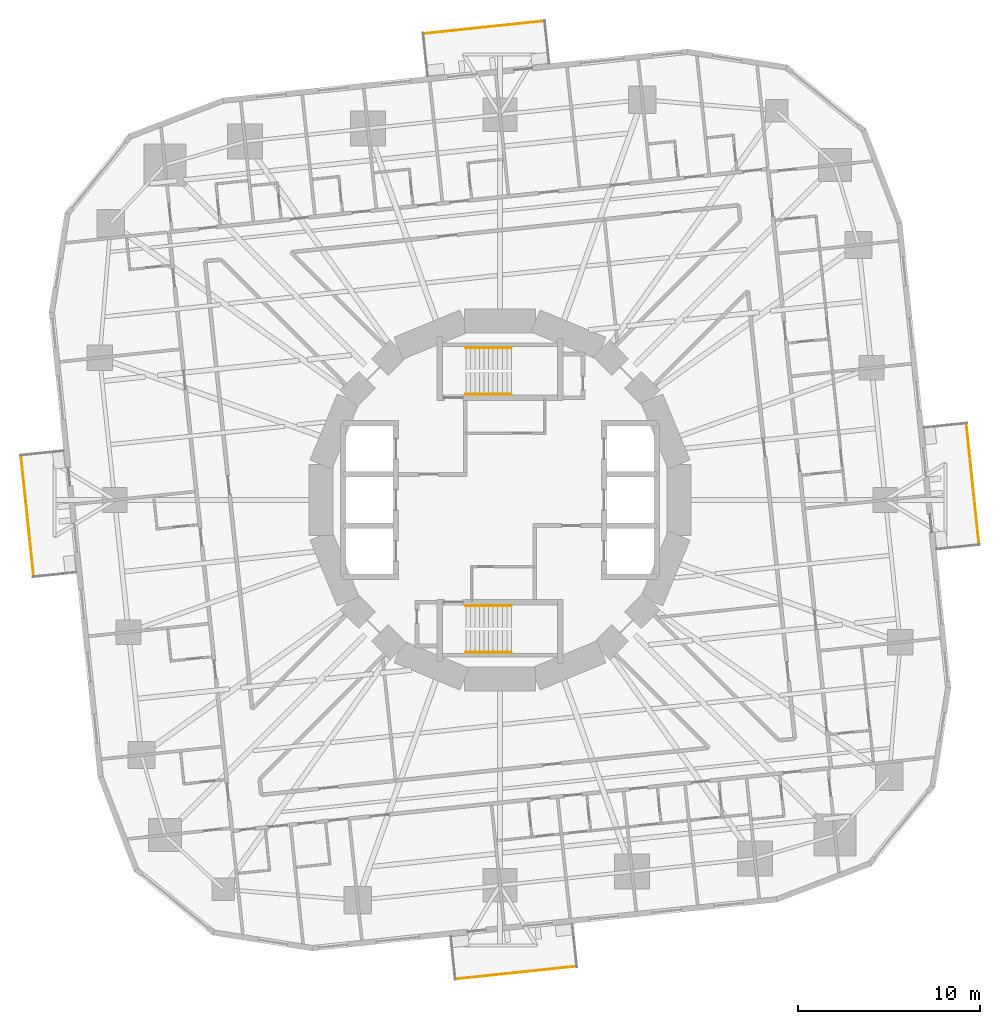
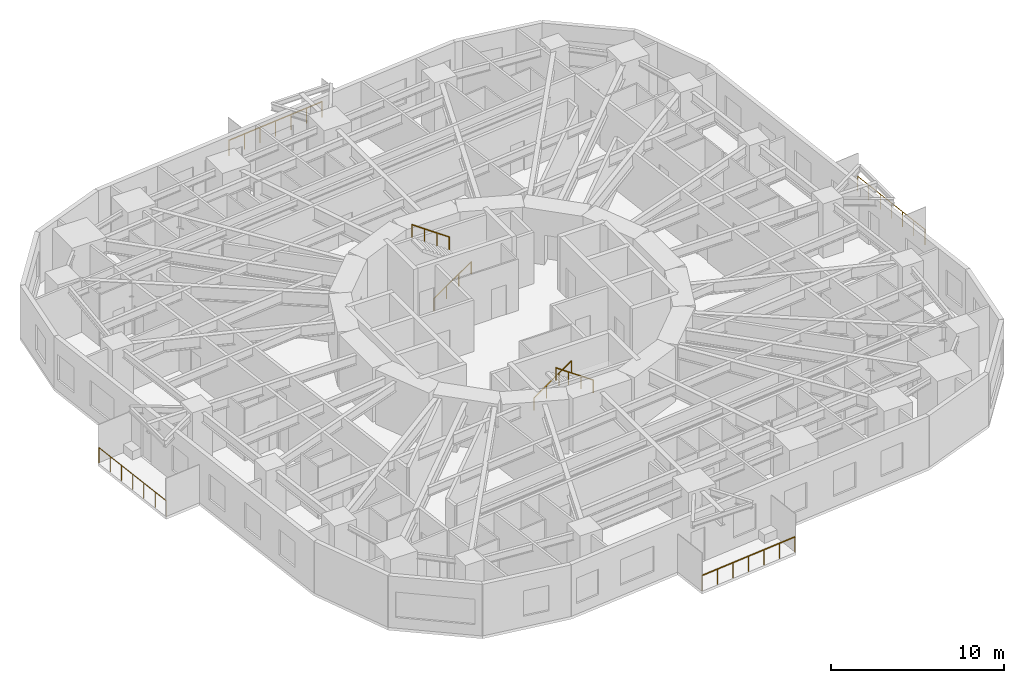
# One storey, part 12 of 13: 8 railings.
"""IFC4 building model written with IfcOpenShell, lengths in metres."""

from ifc_helpers import new_model, si_unit, direction, frame, origin, origin_2d, place, context, subcontext, project, spatial, circle, extrude, material, type_object, element, save


model = new_model("IFC4")

# Units and contexts
model_context = context("Model", 3, precision=1e-05, world=origin(), true_north=direction((0.0, 1.0)))
body_context = subcontext(model_context, "Body", "Model", "MODEL_VIEW")
ifc_project = project(units=[si_unit("LENGTHUNIT", "METRE"), si_unit("AREAUNIT", "SQUARE_METRE"), si_unit("VOLUMEUNIT", "CUBIC_METRE"), si_unit("PLANEANGLEUNIT", "RADIAN"), si_unit("MASSUNIT", "GRAM", prefix="KILO")], contexts=[model_context])

# Site, building, storey
site_placement = place(None, origin())
site = spatial("IfcSite", under=ifc_project, at=site_placement, CompositionType="ELEMENT")
building_placement = place(site_placement, origin())
building = spatial("IfcBuilding", under=site, at=building_placement, Name="Nakasero Lantern House", CompositionType="ELEMENT")
storey_placement = place(building_placement, frame((0.0, 0.0, 79.75)))
storey = spatial("IfcBuildingStorey", under=building, at=storey_placement, Name="L19", CompositionType="ELEMENT", Elevation=79.75)

# Railings
ifc_material_1 = material(Name="Aluminium 6063-T6", Category="aluminium")
railing_type_1 = type_object("IfcRailingType", Name="Balcony guard 1100", PredefinedType="BALUSTRADE", material=ifc_material_1)
railing_1_placement = place(storey_placement, frame((26.247802734375, -2.4296875, 0.0)))
element("IfcRailing", 1, at=railing_1_placement, inside=storey, type_object=railing_type_1, Name="Balcony guard L19 BAL0", PredefinedType="BALUSTRADE", context=body_context, shape_type="SweptSolid", body=[
    extrude(circle(Radius=0.02392578125, at=origin_2d()), frame((0.0, 0.0, 1.076171875), z_axis=(-0.104541525597, 0.994520522375, 0.0), x_axis=(-0.994520522375, -0.104541525597, 0.0)), (0.0, 0.0, 1.0), 6.6533203125),
    extrude(circle(Radius=0.02099609375, at=origin_2d()), origin(), (0.0, 0.0, 1.0), 1.052001953125),
    extrude(circle(Radius=0.02099609375, at=origin_2d()), frame((-0.115966796875, 1.102783203125, 0.0)), (0.0, 0.0, 1.0), 1.052001953125),
    extrude(circle(Radius=0.02099609375, at=origin_2d()), frame((-0.23193359375, 2.20556640625, 0.0)), (0.0, 0.0, 1.0), 1.052001953125),
    extrude(circle(Radius=0.02099609375, at=origin_2d()), frame((-0.34765625, 3.30859375, 0.0)), (0.0, 0.0, 1.0), 1.052001953125),
    extrude(circle(Radius=0.02099609375, at=origin_2d()), frame((-0.463623046875, 4.411376953125, 0.0)), (0.0, 0.0, 1.0), 1.052001953125),
    extrude(circle(Radius=0.02099609375, at=origin_2d()), frame((-0.57958984375, 5.51416015625, 0.0)), (0.0, 0.0, 1.0), 1.052001953125),
    extrude(circle(Radius=0.02099609375, at=origin_2d()), frame((-0.695556640625, 6.616943359375, 0.0)), (0.0, 0.0, 1.0), 1.052001953125),
])
railing_2_placement = place(storey_placement, frame((2.4296875, 26.247802734375, 0.0)))
element("IfcRailing", 2, at=railing_2_placement, inside=storey, type_object=railing_type_1, Name="Balcony guard L19 BAL1", PredefinedType="BALUSTRADE", context=body_context, shape_type="SweptSolid", body=[
    extrude(circle(Radius=0.02392578125, at=origin_2d()), frame((0.0, 0.0, 1.076171875), z_axis=(-0.994520522375, -0.104541525597, 0.0), x_axis=(0.104541525597, -0.994520522375, 0.0)), (0.0, 0.0, 1.0), 6.6533203125),
    extrude(circle(Radius=0.02099609375, at=origin_2d()), origin(), (0.0, 0.0, 1.0), 1.052001953125),
    extrude(circle(Radius=0.02099609375, at=origin_2d()), frame((-1.102783203125, -0.115966796875, 0.0)), (0.0, 0.0, 1.0), 1.052001953125),
    extrude(circle(Radius=0.02099609375, at=origin_2d()), frame((-2.20556640625, -0.23193359375, 0.0)), (0.0, 0.0, 1.0), 1.052001953125),
    extrude(circle(Radius=0.02099609375, at=origin_2d()), frame((-3.30859375, -0.34765625, 0.0)), (0.0, 0.0, 1.0), 1.052001953125),
    extrude(circle(Radius=0.02099609375, at=origin_2d()), frame((-4.411376953125, -0.463623046875, 0.0)), (0.0, 0.0, 1.0), 1.052001953125),
    extrude(circle(Radius=0.02099609375, at=origin_2d()), frame((-5.51416015625, -0.57958984375, 0.0)), (0.0, 0.0, 1.0), 1.052001953125),
    extrude(circle(Radius=0.02099609375, at=origin_2d()), frame((-6.616943359375, -0.695556640625, 0.0)), (0.0, 0.0, 1.0), 1.052001953125),
])
railing_3_placement = place(storey_placement, frame((-26.247802734375, 2.4296875, 0.0)))
element("IfcRailing", 3, at=railing_3_placement, inside=storey, type_object=railing_type_1, Name="Balcony guard L19 BAL2", PredefinedType="BALUSTRADE", context=body_context, shape_type="SweptSolid", body=[
    extrude(circle(Radius=0.02392578125, at=origin_2d()), frame((0.0, 0.0, 1.076171875), z_axis=(0.104541525597, -0.994520522375, 0.0), x_axis=(0.994520522375, 0.104541525597, 0.0)), (0.0, 0.0, 1.0), 6.6533203125),
    extrude(circle(Radius=0.02099609375, at=origin_2d()), origin(), (0.0, 0.0, 1.0), 1.052001953125),
    extrude(circle(Radius=0.02099609375, at=origin_2d()), frame((0.115966796875, -1.102783203125, 0.0)), (0.0, 0.0, 1.0), 1.052001953125),
    extrude(circle(Radius=0.02099609375, at=origin_2d()), frame((0.23193359375, -2.20556640625, 0.0)), (0.0, 0.0, 1.0), 1.052001953125),
    extrude(circle(Radius=0.02099609375, at=origin_2d()), frame((0.34765625, -3.30859375, 0.0)), (0.0, 0.0, 1.0), 1.052001953125),
    extrude(circle(Radius=0.02099609375, at=origin_2d()), frame((0.463623046875, -4.411376953125, 0.0)), (0.0, 0.0, 1.0), 1.052001953125),
    extrude(circle(Radius=0.02099609375, at=origin_2d()), frame((0.57958984375, -5.51416015625, 0.0)), (0.0, 0.0, 1.0), 1.052001953125),
    extrude(circle(Radius=0.02099609375, at=origin_2d()), frame((0.695556640625, -6.616943359375, 0.0)), (0.0, 0.0, 1.0), 1.052001953125),
])
railing_4_placement = place(storey_placement, frame((-2.4296875, -26.247802734375, 0.0)))
element("IfcRailing", 4, at=railing_4_placement, inside=storey, type_object=railing_type_1, Name="Balcony guard L19 BAL3", PredefinedType="BALUSTRADE", context=body_context, shape_type="SweptSolid", body=[
    extrude(circle(Radius=0.02392578125, at=origin_2d()), frame((0.0, 0.0, 1.076171875), z_axis=(0.994520522375, 0.104541525597, 0.0), x_axis=(-0.104541525597, 0.994520522375, 0.0)), (0.0, 0.0, 1.0), 6.6533203125),
    extrude(circle(Radius=0.02099609375, at=origin_2d()), origin(), (0.0, 0.0, 1.0), 1.052001953125),
    extrude(circle(Radius=0.02099609375, at=origin_2d()), frame((1.102783203125, 0.115966796875, 0.0)), (0.0, 0.0, 1.0), 1.052001953125),
    extrude(circle(Radius=0.02099609375, at=origin_2d()), frame((2.20556640625, 0.23193359375, 0.0)), (0.0, 0.0, 1.0), 1.052001953125),
    extrude(circle(Radius=0.02099609375, at=origin_2d()), frame((3.30859375, 0.34765625, 0.0)), (0.0, 0.0, 1.0), 1.052001953125),
    extrude(circle(Radius=0.02099609375, at=origin_2d()), frame((4.411376953125, 0.463623046875, 0.0)), (0.0, 0.0, 1.0), 1.052001953125),
    extrude(circle(Radius=0.02099609375, at=origin_2d()), frame((5.51416015625, 0.57958984375, 0.0)), (0.0, 0.0, 1.0), 1.052001953125),
    extrude(circle(Radius=0.02099609375, at=origin_2d()), frame((6.616943359375, 0.695556640625, 0.0)), (0.0, 0.0, 1.0), 1.052001953125),
])
ifc_material_2 = material(Name="Stainless steel 316", Category="steel")
railing_type_2 = type_object("IfcRailingType", Name="Stair handrail 900", PredefinedType="HANDRAIL", material=ifc_material_2)
railing_5_placement = place(storey_placement, frame((-1.875, 5.800048828125, 0.175048828125)))
element("IfcRailing", 5, at=railing_5_placement, inside=storey, type_object=railing_type_2, Name="Handrail ST1 L19 flight 1", PredefinedType="HANDRAIL", context=body_context, shape_type="SweptSolid", body=[
    extrude(circle(Radius=0.02392578125, at=origin_2d()), frame((0.0, 0.0, 0.8759765625), z_axis=(0.819231920519, 0.0, 0.573462344363), x_axis=(0.0, 1.0, 0.0)), (0.0, 0.0, 1.0), 3.0517578125),
    extrude(circle(Radius=0.02099609375, at=origin_2d()), origin(), (0.0, 0.0, 1.0), 0.851806640625),
    extrude(circle(Radius=0.02099609375, at=origin_2d()), frame((0.833251953125, 0.0, 0.583251953125)), (0.0, 0.0, 1.0), 0.851806640625),
    extrude(circle(Radius=0.02099609375, at=origin_2d()), frame((1.666748046875, 0.0, 1.166748046875)), (0.0, 0.0, 1.0), 0.851806640625),
    extrude(circle(Radius=0.02099609375, at=origin_2d()), frame((2.5, 0.0, 1.75)), (0.0, 0.0, 1.0), 0.851806640625),
])
railing_6_placement = place(storey_placement, frame((0.625, 8.35009765625, 2.10009765625)))
element("IfcRailing", 6, at=railing_6_placement, inside=storey, type_object=railing_type_2, Name="Handrail ST1 L19 flight 2", PredefinedType="HANDRAIL", context=body_context, shape_type="SweptSolid", body=[
    extrude(circle(Radius=0.02392578125, at=origin_2d()), frame((0.0, 0.0, 0.8759765625), z_axis=(-0.819231920519, 0.0, 0.573462344363), x_axis=(0.0, -1.0, 0.0)), (0.0, 0.0, 1.0), 3.0517578125),
    extrude(circle(Radius=0.02099609375, at=origin_2d()), origin(), (0.0, 0.0, 1.0), 0.851806640625),
    extrude(circle(Radius=0.02099609375, at=origin_2d()), frame((-0.833251953125, 0.0, 0.583251953125)), (0.0, 0.0, 1.0), 0.851806640625),
    extrude(circle(Radius=0.02099609375, at=origin_2d()), frame((-1.666748046875, 0.0, 1.166748046875)), (0.0, 0.0, 1.0), 0.851806640625),
    extrude(circle(Radius=0.02099609375, at=origin_2d()), frame((-2.5, 0.0, 1.75)), (0.0, 0.0, 1.0), 0.851806640625),
])
railing_7_placement = place(storey_placement, frame((-1.875, -5.800048828125, 0.175048828125)))
element("IfcRailing", 7, at=railing_7_placement, inside=storey, type_object=railing_type_2, Name="Handrail ST2 L19 flight 1", PredefinedType="HANDRAIL", context=body_context, shape_type="SweptSolid", body=[
    extrude(circle(Radius=0.02392578125, at=origin_2d()), frame((0.0, 0.0, 0.8759765625), z_axis=(0.819231920519, 0.0, 0.573462344363), x_axis=(0.0, 1.0, 0.0)), (0.0, 0.0, 1.0), 3.0517578125),
    extrude(circle(Radius=0.02099609375, at=origin_2d()), origin(), (0.0, 0.0, 1.0), 0.851806640625),
    extrude(circle(Radius=0.02099609375, at=origin_2d()), frame((0.833251953125, 0.0, 0.583251953125)), (0.0, 0.0, 1.0), 0.851806640625),
    extrude(circle(Radius=0.02099609375, at=origin_2d()), frame((1.666748046875, 0.0, 1.166748046875)), (0.0, 0.0, 1.0), 0.851806640625),
    extrude(circle(Radius=0.02099609375, at=origin_2d()), frame((2.5, 0.0, 1.75)), (0.0, 0.0, 1.0), 0.851806640625),
])
railing_8_placement = place(storey_placement, frame((0.625, -8.35009765625, 2.10009765625)))
element("IfcRailing", 8, at=railing_8_placement, inside=storey, type_object=railing_type_2, Name="Handrail ST2 L19 flight 2", PredefinedType="HANDRAIL", context=body_context, shape_type="SweptSolid", body=[
    extrude(circle(Radius=0.02392578125, at=origin_2d()), frame((0.0, 0.0, 0.8759765625), z_axis=(-0.819231920519, 0.0, 0.573462344363), x_axis=(0.0, -1.0, 0.0)), (0.0, 0.0, 1.0), 3.0517578125),
    extrude(circle(Radius=0.02099609375, at=origin_2d()), origin(), (0.0, 0.0, 1.0), 0.851806640625),
    extrude(circle(Radius=0.02099609375, at=origin_2d()), frame((-0.833251953125, 0.0, 0.583251953125)), (0.0, 0.0, 1.0), 0.851806640625),
    extrude(circle(Radius=0.02099609375, at=origin_2d()), frame((-1.666748046875, 0.0, 1.166748046875)), (0.0, 0.0, 1.0), 0.851806640625),
    extrude(circle(Radius=0.02099609375, at=origin_2d()), frame((-2.5, 0.0, 1.75)), (0.0, 0.0, 1.0), 0.851806640625),
])

save(model, "model.ifc")
